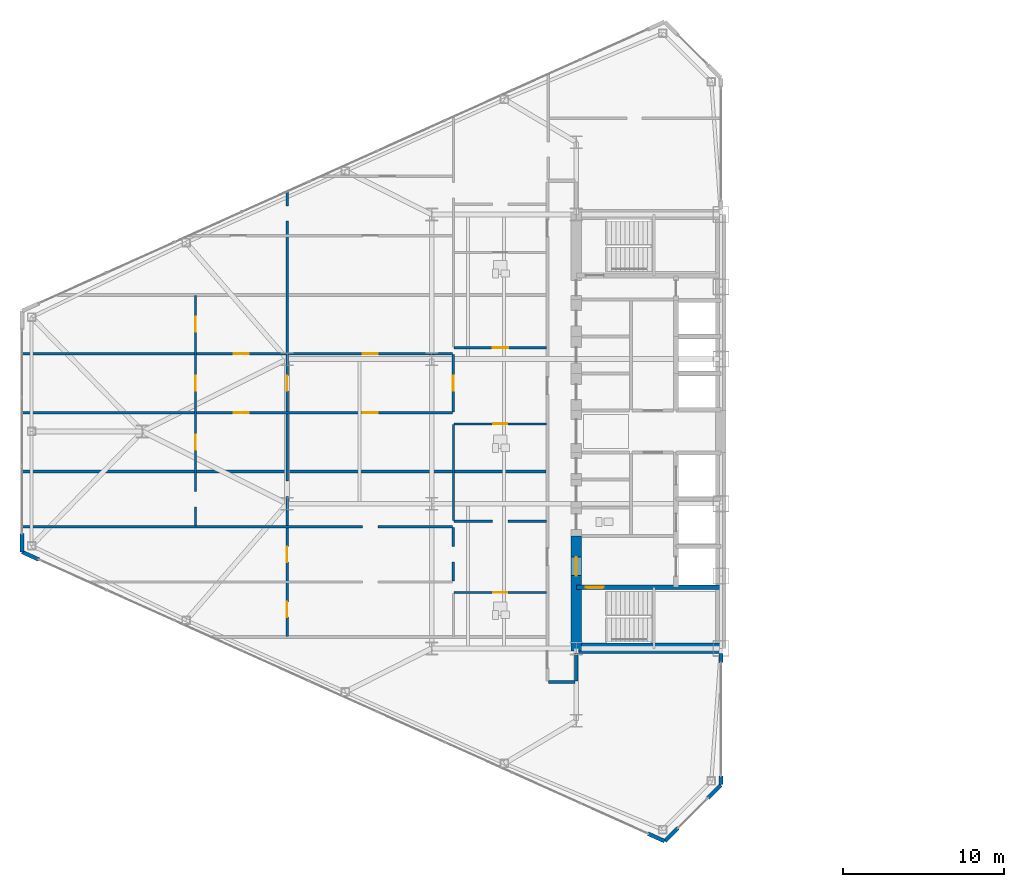
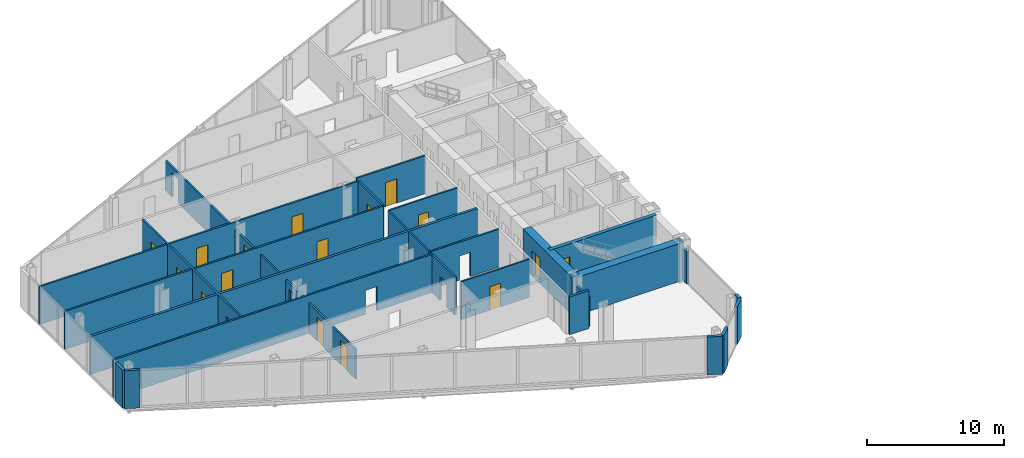
# One storey, part 19 of 27: 25 walls, 16 doors, 22 openings.
"""IFC4 building model written with IfcOpenShell, lengths in metres."""

from ifc_helpers import new_model, si_unit, direction, frame, frame_2d, origin, place, context, subcontext, project, spatial, rectangle, extrude, source, transform, mapped, material, layer, layer_set, type_object, type_shapes, element, fill, save


model = new_model("IFC4")

# Units and contexts
model_context = context("Model", 3, precision=1e-05, world=origin(), true_north=direction((0.0, 1.0)))
body_context = subcontext(model_context, "Body", "Model", "MODEL_VIEW")
ifc_project = project(units=[si_unit("LENGTHUNIT", "METRE"), si_unit("AREAUNIT", "SQUARE_METRE"), si_unit("VOLUMEUNIT", "CUBIC_METRE"), si_unit("PLANEANGLEUNIT", "RADIAN"), si_unit("MASSUNIT", "GRAM", prefix="KILO")], contexts=[model_context])

# Site, building, storey
site_placement = place(None, origin())
site = spatial("IfcSite", under=ifc_project, at=site_placement, CompositionType="ELEMENT")
building_placement = place(site_placement, origin())
building = spatial("IfcBuilding", under=site, at=building_placement, Name="Seokmaru Belvedere", CompositionType="ELEMENT")
storey_placement = place(building_placement, frame((0.0, 0.0, 99.60009765625)))
storey = spatial("IfcBuildingStorey", under=building, at=storey_placement, Name="L26", CompositionType="ELEMENT", Elevation=99.60009765625)

# Wall, opening
ifc_material_1 = material(Name="Fire-Rated Gypsum Shaftwall")
ifc_layer_1 = layer(ifc_material_1, 0.14990234375)
ifc_layer_set_1 = layer_set([ifc_layer_1], Name="Fire-Rated Gypsum Shaftwall")
wall_type_1 = type_object("IfcWallType", Name="Apartment Fire-Acoustic Room Partition 150", PredefinedType="PARTITIONING", material=ifc_layer_set_1)
wall_1_placement = place(storey_placement, frame((-71.034912109375, -5.929931640625, 0.0), z_axis=(0.0, 0.0, 1.0), x_axis=(1.0, 0.0, 0.0)))
wall_1 = element("IfcWall", 1, at=wall_1_placement, inside=storey, type_object=wall_type_1, Name="L26 Interior Partition 009", PredefinedType="PARTITIONING", context=body_context, shape_type="SweptSolid", body=[
    extrude(rectangle(XDim=26.8349609375, YDim=0.14990234375, at=frame_2d((13.41748046875, 0.0))), origin(), (0.0, 0.0, 1.0), 3.3798828125),
])
opening_1_placement = place(wall_1_placement, frame((21.235107421875, 0.0, 0.0)))
element("IfcOpeningElement", 2, at=opening_1_placement, cuts=wall_1, Name="L26 Cased Opening 008", PredefinedType="OPENING", context=body_context, shape_type="SweptSolid", body=[
    extrude(rectangle(XDim=0.949951171875, YDim=2.14990234375, at=frame_2d((0.47509765625, 1.074951171875))), frame((0.0, 0.0849609375, 0.0), z_axis=(0.0, -1.0, 0.0), x_axis=(1.0, 0.0, 0.0)), (0.0, 0.0, 1.0), 0.169921875),
])

wall_2_placement = place(storey_placement, frame((-44.10009765625, -5.590087890625, 0.0), z_axis=(0.0, 0.0, 1.0), x_axis=(1.0, 0.0, 0.0)))
wall_2 = element("IfcWall", 3, at=wall_2_placement, inside=storey, type_object=wall_type_1, Name="L26 Interior Partition 010", PredefinedType="PARTITIONING", context=body_context, shape_type="SweptSolid", body=[
    extrude(rectangle(XDim=5.75, YDim=0.14990234375, at=frame_2d((2.875, 0.0))), origin(), (0.0, 0.0, 1.0), 3.3798828125),
])
opening_2_placement = place(wall_2_placement, frame((2.39990234375, 0.0, 0.0)))
element("IfcOpeningElement", 4, at=opening_2_placement, cuts=wall_2, Name="L26 Cased Opening 004", PredefinedType="OPENING", context=body_context, shape_type="SweptSolid", body=[
    extrude(rectangle(XDim=0.949951171875, YDim=2.14990234375, at=frame_2d((0.47509765625, 1.074951171875))), frame((0.0, 0.0849609375, 0.0), z_axis=(0.0, -1.0, 0.0), x_axis=(1.0, 0.0, 0.0)), (0.0, 0.0, 1.0), 0.169921875),
])

# Wall, openings, doors
wall_3_placement = place(storey_placement, frame((-71.034912109375, 1.169921875, 0.0), z_axis=(0.0, 0.0, 1.0), x_axis=(1.0, 0.0, 0.0)))
wall_3 = element("IfcWall", 5, at=wall_3_placement, inside=storey, type_object=wall_type_1, Name="L26 Interior Partition 015", PredefinedType="PARTITIONING", context=body_context, shape_type="SweptSolid", body=[
    extrude(rectangle(XDim=26.8349609375, YDim=0.14990234375, at=frame_2d((13.41748046875, 0.0))), origin(), (0.0, 0.0, 1.0), 3.3798828125),
])
opening_3_placement = place(wall_3_placement, frame((21.235107421875, 0.0, 0.0)))
opening_3 = element("IfcOpeningElement", 6, at=opening_3_placement, cuts=wall_3, Name="Opening D05", PredefinedType="OPENING", context=body_context, shape_type="SweptSolid", body=[
    extrude(rectangle(XDim=0.949951171875, YDim=2.14990234375, at=frame_2d((0.47509765625, 1.074951171875))), frame((0.0, 0.0849609375, 0.0), z_axis=(0.0, -1.0, 0.0), x_axis=(1.0, 0.0, 0.0)), (0.0, 0.0, 1.0), 0.169921875),
])
opening_4_placement = place(wall_3_placement, frame((13.2099609375, 0.0, 0.0)))
opening_4 = element("IfcOpeningElement", 7, at=opening_4_placement, cuts=wall_3, Name="Opening D05", PredefinedType="OPENING", context=body_context, shape_type="SweptSolid", body=[
    extrude(rectangle(XDim=0.949951171875, YDim=2.14990234375, at=frame_2d((0.47509765625, 1.074951171875))), frame((0.0, 0.0849609375, 0.0), z_axis=(0.0, -1.0, 0.0), x_axis=(1.0, 0.0, 0.0)), (0.0, 0.0, 1.0), 0.169921875),
])
ifc_material_2 = material(Name="Engineered White Oak Timber", Category="wood")
door_type_1 = type_object("IfcDoorType", Name="Apartment Interior Fire-Rated Oak Door 950x2150", OperationType="NOTDEFINED", PredefinedType="DOOR", material=ifc_material_2)
shared_shape_1 = source(origin(), body_context, "Body", "SweptSolid", [
    extrude(rectangle(XDim=0.949951171875, YDim=2.14990234375, at=frame_2d((0.47509765625, 1.074951171875))), frame((0.0, 0.02490234375, 0.0), z_axis=(0.0, -1.0, 0.0), x_axis=(1.0, 0.0, 0.0)), (0.0, 0.0, 1.0), 0.050048828125),
])
type_shapes(door_type_1, [shared_shape_1])
door_1_placement = place(opening_3_placement, origin())
door_1 = element("IfcDoor", 8, at=door_1_placement, inside=storey, type_object=door_type_1, Name="L26 Interior Door 017", OperationType="SINGLE_SWING_RIGHT", OverallHeight=2.14990234375, OverallWidth=0.949951171875, PredefinedType="DOOR", context=body_context, shape_type="MappedRepresentation", body=[
    mapped(shared_shape_1, transform((0.0, 0.0, 0.0), scale=1.0)),
])
fill(opening_3, door_1)
door_2_placement = place(opening_4_placement, origin())
door_2 = element("IfcDoor", 9, at=door_2_placement, inside=storey, type_object=door_type_1, Name="L26 Interior Door 019", OperationType="SINGLE_SWING_LEFT", OverallHeight=2.14990234375, OverallWidth=0.949951171875, PredefinedType="DOOR", context=body_context, shape_type="MappedRepresentation", body=[
    mapped(shared_shape_1, transform((0.0, 0.0, 0.0), scale=1.0)),
])
fill(opening_4, door_2)

wall_4_placement = place(storey_placement, frame((-71.034912109375, 4.830078125, 0.0), z_axis=(0.0, 0.0, 1.0), x_axis=(1.0, 0.0, 0.0)))
wall_4 = element("IfcWall", 10, at=wall_4_placement, inside=storey, type_object=wall_type_1, Name="L26 Interior Partition 017", PredefinedType="PARTITIONING", context=body_context, shape_type="SweptSolid", body=[
    extrude(rectangle(XDim=26.8349609375, YDim=0.14990234375, at=frame_2d((13.41748046875, 0.0))), origin(), (0.0, 0.0, 1.0), 3.3798828125),
])
opening_5_placement = place(wall_4_placement, frame((21.235107421875, 0.0, 0.0)))
opening_5 = element("IfcOpeningElement", 11, at=opening_5_placement, cuts=wall_4, Name="Opening D05", PredefinedType="OPENING", context=body_context, shape_type="SweptSolid", body=[
    extrude(rectangle(XDim=0.949951171875, YDim=2.14990234375, at=frame_2d((0.47509765625, 1.074951171875))), frame((0.0, 0.0849609375, 0.0), z_axis=(0.0, -1.0, 0.0), x_axis=(1.0, 0.0, 0.0)), (0.0, 0.0, 1.0), 0.169921875),
])
opening_6_placement = place(wall_4_placement, frame((13.2099609375, 0.0, 0.0)))
opening_6 = element("IfcOpeningElement", 12, at=opening_6_placement, cuts=wall_4, Name="Opening D05", PredefinedType="OPENING", context=body_context, shape_type="SweptSolid", body=[
    extrude(rectangle(XDim=0.949951171875, YDim=2.14990234375, at=frame_2d((0.47509765625, 1.074951171875))), frame((0.0, 0.0849609375, 0.0), z_axis=(0.0, -1.0, 0.0), x_axis=(1.0, 0.0, 0.0)), (0.0, 0.0, 1.0), 0.169921875),
])
door_3_placement = place(opening_5_placement, origin())
door_3 = element("IfcDoor", 13, at=door_3_placement, inside=storey, type_object=door_type_1, Name="L26 Interior Door 018", OperationType="SINGLE_SWING_LEFT", OverallHeight=2.14990234375, OverallWidth=0.949951171875, PredefinedType="DOOR", context=body_context, shape_type="MappedRepresentation", body=[
    mapped(shared_shape_1, transform((0.0, 0.0, 0.0), scale=1.0)),
])
fill(opening_5, door_3)
door_4_placement = place(opening_6_placement, origin())
door_4 = element("IfcDoor", 14, at=door_4_placement, inside=storey, type_object=door_type_1, Name="L26 Interior Door 022", OperationType="SINGLE_SWING_LEFT", OverallHeight=2.14990234375, OverallWidth=0.949951171875, PredefinedType="DOOR", context=body_context, shape_type="MappedRepresentation", body=[
    mapped(shared_shape_1, transform((0.0, 0.0, 0.0), scale=1.0)),
])
fill(opening_6, door_4)

# Wall, opening, door
wall_5_placement = place(storey_placement, frame((-44.10009765625, 5.199951171875, 0.0), z_axis=(0.0, 0.0, 1.0), x_axis=(1.0, 0.0, 0.0)))
wall_5 = element("IfcWall", 15, at=wall_5_placement, inside=storey, type_object=wall_type_1, Name="L26 Interior Partition 018", PredefinedType="PARTITIONING", context=body_context, shape_type="SweptSolid", body=[
    extrude(rectangle(XDim=5.75, YDim=0.14990234375, at=frame_2d((2.875, 0.0))), origin(), (0.0, 0.0, 1.0), 3.3798828125),
])
opening_7_placement = place(wall_5_placement, frame((2.39990234375, 0.0, 0.0)))
opening_7 = element("IfcOpeningElement", 16, at=opening_7_placement, cuts=wall_5, Name="Opening D05", PredefinedType="OPENING", context=body_context, shape_type="SweptSolid", body=[
    extrude(rectangle(XDim=0.949951171875, YDim=2.14990234375, at=frame_2d((0.47509765625, 1.074951171875))), frame((0.0, 0.0849609375, 0.0), z_axis=(0.0, -1.0, 0.0), x_axis=(1.0, 0.0, 0.0)), (0.0, 0.0, 1.0), 0.169921875),
])
door_5_placement = place(opening_7_placement, origin())
door_5 = element("IfcDoor", 17, at=door_5_placement, inside=storey, type_object=door_type_1, Name="L26 Interior Door 014", OperationType="SINGLE_SWING_LEFT", OverallHeight=2.14990234375, OverallWidth=0.949951171875, PredefinedType="DOOR", context=body_context, shape_type="MappedRepresentation", body=[
    mapped(shared_shape_1, transform((0.0, 0.0, 0.0), scale=1.0)),
])
fill(opening_7, door_5)

# Wall, openings, doors
wall_6_placement = place(storey_placement, frame((-60.199951171875, -5.883056640625, 0.0), z_axis=(0.0, 0.0, 1.0), x_axis=(0.0, 1.0, 0.0)))
wall_6 = element("IfcWall", 18, at=wall_6_placement, inside=storey, type_object=wall_type_1, Name="L26 Interior Partition 032", PredefinedType="PARTITIONING", context=body_context, shape_type="SweptSolid", body=[
    extrude(rectangle(XDim=14.3330078125, YDim=0.14990234375, at=frame_2d((7.16650390625, 0.0))), origin(), (0.0, 0.0, 1.0), 3.3798828125),
])
opening_8_placement = place(wall_6_placement, frame((1.19140625, 0.0, 0.0)))
element("IfcOpeningElement", 19, at=opening_8_placement, cuts=wall_6, Name="L26 Cased Opening 011", PredefinedType="OPENING", context=body_context, shape_type="SweptSolid", body=[
    extrude(rectangle(XDim=0.949951171875, YDim=2.14990234375, at=frame_2d((0.47509765625, 1.074951171875))), frame((0.0, 0.0849609375, 0.0), z_axis=(0.0, -1.0, 0.0), x_axis=(1.0, 0.0, 0.0)), (0.0, 0.0, 1.0), 0.169921875),
])
opening_9_placement = place(wall_6_placement, frame((4.741455078125, 0.0, 0.0)))
opening_9 = element("IfcOpeningElement", 20, at=opening_9_placement, cuts=wall_6, Name="Opening D05", PredefinedType="OPENING", context=body_context, shape_type="SweptSolid", body=[
    extrude(rectangle(XDim=0.949951171875, YDim=2.14990234375, at=frame_2d((0.47509765625, 1.074951171875))), frame((0.0, 0.0849609375, 0.0), z_axis=(0.0, -1.0, 0.0), x_axis=(1.0, 0.0, 0.0)), (0.0, 0.0, 1.0), 0.169921875),
])
opening_10_placement = place(wall_6_placement, frame((8.407958984375, 0.0, 0.0)))
opening_10 = element("IfcOpeningElement", 21, at=opening_10_placement, cuts=wall_6, Name="Opening D05", PredefinedType="OPENING", context=body_context, shape_type="SweptSolid", body=[
    extrude(rectangle(XDim=0.949951171875, YDim=2.14990234375, at=frame_2d((0.47509765625, 1.074951171875))), frame((0.0, 0.0849609375, 0.0), z_axis=(0.0, -1.0, 0.0), x_axis=(1.0, 0.0, 0.0)), (0.0, 0.0, 1.0), 0.169921875),
])
opening_11_placement = place(wall_6_placement, frame((12.07470703125, 0.0, 0.0)))
opening_11 = element("IfcOpeningElement", 22, at=opening_11_placement, cuts=wall_6, Name="Opening D05", PredefinedType="OPENING", context=body_context, shape_type="SweptSolid", body=[
    extrude(rectangle(XDim=0.949951171875, YDim=2.14990234375, at=frame_2d((0.47509765625, 1.074951171875))), frame((0.0, 0.0849609375, 0.0), z_axis=(0.0, -1.0, 0.0), x_axis=(1.0, 0.0, 0.0)), (0.0, 0.0, 1.0), 0.169921875),
])
door_6_placement = place(opening_9_placement, origin())
door_6 = element("IfcDoor", 23, at=door_6_placement, inside=storey, type_object=door_type_1, Name="L26 Interior Door 020", OperationType="SINGLE_SWING_RIGHT", OverallHeight=2.14990234375, OverallWidth=0.949951171875, PredefinedType="DOOR", context=body_context, shape_type="MappedRepresentation", body=[
    mapped(shared_shape_1, transform((0.0, 0.0, 0.0), scale=1.0)),
])
fill(opening_9, door_6)
door_7_placement = place(opening_10_placement, origin())
door_7 = element("IfcDoor", 24, at=door_7_placement, inside=storey, type_object=door_type_1, Name="L26 Interior Door 021", OperationType="SINGLE_SWING_RIGHT", OverallHeight=2.14990234375, OverallWidth=0.949951171875, PredefinedType="DOOR", context=body_context, shape_type="MappedRepresentation", body=[
    mapped(shared_shape_1, transform((0.0, 0.0, 0.0), scale=1.0)),
])
fill(opening_10, door_7)
door_8_placement = place(opening_11_placement, origin())
door_8 = element("IfcDoor", 25, at=door_8_placement, inside=storey, type_object=door_type_1, Name="L26 Interior Door 023", OperationType="SINGLE_SWING_RIGHT", OverallHeight=2.14990234375, OverallWidth=0.949951171875, PredefinedType="DOOR", context=body_context, shape_type="MappedRepresentation", body=[
    mapped(shared_shape_1, transform((0.0, 0.0, 0.0), scale=1.0)),
])
fill(opening_11, door_8)

wall_7_placement = place(storey_placement, frame((-54.5, -12.75, 0.0), z_axis=(0.0, 0.0, 1.0), x_axis=(0.0, 1.0, 0.0)))
wall_7 = element("IfcWall", 26, at=wall_7_placement, inside=storey, type_object=wall_type_1, Name="L26 Interior Partition 033", PredefinedType="PARTITIONING", context=body_context, shape_type="SweptSolid", body=[
    extrude(rectangle(XDim=27.7099609375, YDim=0.14990234375, at=frame_2d((13.85498046875, 0.0))), origin(), (0.0, 0.0, 1.0), 2.679931640625),
])
opening_12_placement = place(wall_7_placement, frame((4.625, 0.0, 0.0)))
opening_12 = element("IfcOpeningElement", 27, at=opening_12_placement, cuts=wall_7, Name="Opening D05", PredefinedType="OPENING", context=body_context, shape_type="SweptSolid", body=[
    extrude(rectangle(XDim=0.949951171875, YDim=2.14990234375, at=frame_2d((0.47509765625, 1.074951171875))), frame((0.0, 0.0849609375, 0.0), z_axis=(0.0, -1.0, 0.0), x_axis=(1.0, 0.0, 0.0)), (0.0, 0.0, 1.0), 0.169921875),
])
opening_13_placement = place(wall_7_placement, frame((1.191650390625, 0.0, 0.0)))
opening_13 = element("IfcOpeningElement", 28, at=opening_13_placement, cuts=wall_7, Name="Opening D05", PredefinedType="OPENING", context=body_context, shape_type="SweptSolid", body=[
    extrude(rectangle(XDim=0.949951171875, YDim=2.14990234375, at=frame_2d((0.47509765625, 1.074951171875))), frame((0.0, 0.0849609375, 0.0), z_axis=(0.0, -1.0, 0.0), x_axis=(1.0, 0.0, 0.0)), (0.0, 0.0, 1.0), 0.169921875),
])
opening_14_placement = place(wall_7_placement, frame((8.71728515625, 0.0, 0.0)))
element("IfcOpeningElement", 29, at=opening_14_placement, cuts=wall_7, Name="L26 Cased Opening 010", PredefinedType="OPENING", context=body_context, shape_type="SweptSolid", body=[
    extrude(rectangle(XDim=0.949951171875, YDim=2.14990234375, at=frame_2d((0.47509765625, 1.074951171875))), frame((0.0, 0.0849609375, 0.0), z_axis=(0.0, -1.0, 0.0), x_axis=(1.0, 0.0, 0.0)), (0.0, 0.0, 1.0), 0.169921875),
])
opening_15_placement = place(wall_7_placement, frame((15.27490234375, 0.0, 0.0)))
opening_15 = element("IfcOpeningElement", 30, at=opening_15_placement, cuts=wall_7, Name="Opening D05", PredefinedType="OPENING", context=body_context, shape_type="SweptSolid", body=[
    extrude(rectangle(XDim=0.949951171875, YDim=2.14990234375, at=frame_2d((0.47509765625, 1.074951171875))), frame((0.0, 0.0849609375, 0.0), z_axis=(0.0, -1.0, 0.0), x_axis=(1.0, 0.0, 0.0)), (0.0, 0.0, 1.0), 0.169921875),
])
opening_16_placement = place(wall_7_placement, frame((25.834716796875, 0.0, 0.0)))
element("IfcOpeningElement", 31, at=opening_16_placement, cuts=wall_7, Name="L26 Cased Opening 028", PredefinedType="OPENING", context=body_context, shape_type="SweptSolid", body=[
    extrude(rectangle(XDim=0.949951171875, YDim=2.14990234375, at=frame_2d((0.47509765625, 1.074951171875))), frame((0.0, 0.0849609375, 0.0), z_axis=(0.0, -1.0, 0.0), x_axis=(1.0, 0.0, 0.0)), (0.0, 0.0, 1.0), 0.169921875),
])
door_9_placement = place(opening_12_placement, origin())
door_9 = element("IfcDoor", 32, at=door_9_placement, inside=storey, type_object=door_type_1, Name="L26 Interior Door 006", OperationType="SINGLE_SWING_LEFT", OverallHeight=2.14990234375, OverallWidth=0.949951171875, PredefinedType="DOOR", context=body_context, shape_type="MappedRepresentation", body=[
    mapped(shared_shape_1, transform((0.0, 0.0, 0.0), scale=1.0)),
])
fill(opening_12, door_9)
door_10_placement = place(opening_13_placement, origin())
door_10 = element("IfcDoor", 33, at=door_10_placement, inside=storey, type_object=door_type_1, Name="L26 Interior Door 009", OperationType="SINGLE_SWING_LEFT", OverallHeight=2.14990234375, OverallWidth=0.949951171875, PredefinedType="DOOR", context=body_context, shape_type="MappedRepresentation", body=[
    mapped(shared_shape_1, transform((0.0, 0.0, 0.0), scale=1.0)),
])
fill(opening_13, door_10)
door_11_placement = place(opening_15_placement, origin())
door_11 = element("IfcDoor", 34, at=door_11_placement, inside=storey, type_object=door_type_1, Name="L26 Interior Door 016", OperationType="SINGLE_SWING_LEFT", OverallHeight=2.14990234375, OverallWidth=0.949951171875, PredefinedType="DOOR", context=body_context, shape_type="MappedRepresentation", body=[
    mapped(shared_shape_1, transform((0.0, 0.0, 0.0), scale=1.0)),
])
fill(opening_15, door_11)

# Wall, opening
wall_8_placement = place(storey_placement, frame((-44.14990234375, -9.31689453125, 0.0), z_axis=(0.0, 0.0, 1.0), x_axis=(0.0, 1.0, 0.0)))
wall_8 = element("IfcWall", 35, at=wall_8_placement, inside=storey, type_object=wall_type_1, Name="L26 Interior Partition 035", PredefinedType="PARTITIONING", context=body_context, shape_type="SweptSolid", body=[
    extrude(rectangle(XDim=3.333984375, YDim=0.14990234375, at=frame_2d((1.6669921875, 0.0))), origin(), (0.0, 0.0, 1.0), 3.3798828125),
])
opening_17_placement = place(wall_8_placement, frame((1.19189453125, 0.0, 0.0)))
element("IfcOpeningElement", 36, at=opening_17_placement, cuts=wall_8, Name="L26 Cased Opening 005", PredefinedType="OPENING", context=body_context, shape_type="SweptSolid", body=[
    extrude(rectangle(XDim=0.949951171875, YDim=2.14990234375, at=frame_2d((0.47509765625, 1.074951171875))), frame((0.0, 0.0849609375, 0.0), z_axis=(0.0, -1.0, 0.0), x_axis=(1.0, 0.0, 0.0)), (0.0, 0.0, 1.0), 0.169921875),
])

# Wall, opening, door
wall_9_placement = place(storey_placement, frame((-44.14990234375, 1.217041015625, 0.0), z_axis=(0.0, 0.0, 1.0), x_axis=(0.0, 1.0, 0.0)))
wall_9 = element("IfcWall", 37, at=wall_9_placement, inside=storey, type_object=wall_type_1, Name="L26 Interior Partition 037", PredefinedType="PARTITIONING", context=body_context, shape_type="SweptSolid", body=[
    extrude(rectangle(XDim=3.56591796875, YDim=0.14990234375, at=frame_2d((1.782958984375, 0.0))), origin(), (0.0, 0.0, 1.0), 3.3798828125),
])
opening_18_placement = place(wall_9_placement, frame((1.30810546875, 0.0, 0.0)))
opening_18 = element("IfcOpeningElement", 38, at=opening_18_placement, cuts=wall_9, Name="Opening D05", PredefinedType="OPENING", context=body_context, shape_type="SweptSolid", body=[
    extrude(rectangle(XDim=0.949951171875, YDim=2.14990234375, at=frame_2d((0.47509765625, 1.074951171875))), frame((0.0, 0.0849609375, 0.0), z_axis=(0.0, -1.0, 0.0), x_axis=(1.0, 0.0, 0.0)), (0.0, 0.0, 1.0), 0.169921875),
])
door_12_placement = place(opening_18_placement, origin())
door_12 = element("IfcDoor", 39, at=door_12_placement, inside=storey, type_object=door_type_1, Name="L26 Interior Door 015", OperationType="SINGLE_SWING_RIGHT", OverallHeight=2.14990234375, OverallWidth=0.949951171875, PredefinedType="DOOR", context=body_context, shape_type="MappedRepresentation", body=[
    mapped(shared_shape_1, transform((0.0, 0.0, 0.0), scale=1.0)),
])
fill(opening_18, door_12)

# Walls
ifc_layer_2 = layer(ifc_material_1, 0.199951171875)
ifc_layer_set_2 = layer_set([ifc_layer_2], Name="Fire-Rated Gypsum Shaftwall")
wall_type_2 = type_object("IfcWallType", Name="Inter-Tenancy Fire Compartment Partition 200", PredefinedType="PARTITIONING", material=ifc_layer_set_2)
wall_10_placement = place(storey_placement, frame((-38.215087890625, -15.60009765625, 0.0), z_axis=(0.0, 0.0, 1.0), x_axis=(1.0, 0.0, 0.0)))
element("IfcWall", 40, at=wall_10_placement, inside=storey, type_object=wall_type_2, Name="L26 Interior Partition 001", PredefinedType="PARTITIONING", context=body_context, shape_type="SweptSolid", body=[
    extrude(rectangle(XDim=1.630126953125, YDim=0.199951171875, at=frame_2d((0.81494140625, 0.0))), origin(), (0.0, 0.0, 1.0), 3.3798828125),
])
wall_11_placement = place(storey_placement, frame((-71.0048828125, -2.5, 0.0), z_axis=(0.0, 0.0, 1.0), x_axis=(1.0, 0.0, 0.0)))
element("IfcWall", 41, at=wall_11_placement, inside=storey, type_object=wall_type_2, Name="L26 Interior Partition 011", PredefinedType="PARTITIONING", context=body_context, shape_type="SweptSolid", body=[
    extrude(rectangle(XDim=32.625, YDim=0.199951171875, at=frame_2d((16.3125, 0.0))), origin(), (0.0, 0.0, 1.0), 3.3798828125),
])
wall_12_placement = place(storey_placement, frame((-36.5, -15.514892578125, 0.0), z_axis=(0.0, 0.0, 1.0), x_axis=(0.0, 1.0, 0.0)))
element("IfcWall", 42, at=wall_12_placement, inside=storey, type_object=wall_type_2, Name="L26 Interior Partition 041", PredefinedType="PARTITIONING", context=body_context, shape_type="SweptSolid", body=[
    extrude(rectangle(XDim=1.684814453125, YDim=0.199951171875, at=frame_2d((0.84228515625, 0.0))), origin(), (0.0, 0.0, 1.0), 2.679931640625),
])

# Wall, opening, door
ifc_material_3 = material(Name="Concrete C50 (50 MPa)", Category="concrete")
ifc_layer_3 = layer(ifc_material_3, 0.300048828125)
ifc_layer_set_3 = layer_set([ifc_layer_3], Name="Concrete C50 (50 MPa)")
wall_type_3 = type_object("IfcWallType", Name="Internal Core Stair and Hoistway Wall 300", PredefinedType="SHEAR", material=ifc_layer_set_3)
wall_13_placement = place(storey_placement, frame((-36.5, -9.699951171875, 0.0), z_axis=(0.0, 0.0, 1.0), x_axis=(1.0, 0.0, 0.0)))
wall_13 = element("IfcWall", 43, at=wall_13_placement, inside=storey, type_object=wall_type_3, Name="L26 West Stair ST-1 Enclosure Wall", PredefinedType="SHEAR", context=body_context, shape_type="SweptSolid", body=[
    extrude(rectangle(XDim=9.0, YDim=0.300048828125, at=frame_2d((4.5, 0.0))), origin(), (0.0, 0.0, 1.0), 3.3798828125),
])
opening_19_placement = place(wall_13_placement, frame((0.60009765625, 0.0, 0.0)))
opening_19 = element("IfcOpeningElement", 44, at=opening_19_placement, cuts=wall_13, Name="Opening D01", PredefinedType="OPENING", context=body_context, shape_type="SweptSolid", body=[
    extrude(rectangle(XDim=1.10009765625, YDim=2.199951171875, at=frame_2d((0.550048828125, 1.10009765625))), frame((0.0, 0.16015625, 0.0), z_axis=(0.0, -1.0, 0.0), x_axis=(1.0, 0.0, 0.0)), (0.0, 0.0, 1.0), 0.320068359375),
])
ifc_material_4 = material(Name="Fire-Rated Steel Leaf", Category="steel")
door_type_2 = type_object("IfcDoorType", Name="Special Escape Stair Smokeproof Fire Door 1100x2200", OperationType="NOTDEFINED", PredefinedType="DOOR", material=ifc_material_4)
shared_shape_2 = source(origin(), body_context, "Body", "SweptSolid", [
    extrude(rectangle(XDim=1.10009765625, YDim=2.199951171875, at=frame_2d((0.550048828125, 1.10009765625))), frame((0.0, 0.02490234375, 0.0), z_axis=(0.0, -1.0, 0.0), x_axis=(1.0, 0.0, 0.0)), (0.0, 0.0, 1.0), 0.050048828125),
])
type_shapes(door_type_2, [shared_shape_2])
door_13_placement = place(opening_19_placement, frame((1.10009765625, 0.0, 0.0), z_axis=(0.0, 0.0, 1.0), x_axis=(-1.0, 0.0, 0.0)))
door_13 = element("IfcDoor", 45, at=door_13_placement, inside=storey, type_object=door_type_2, Name="L26 West Special Escape Stair ST-1 Door", OperationType="SINGLE_SWING_LEFT", OverallHeight=2.199951171875, OverallWidth=1.10009765625, PredefinedType="DOOR", context=body_context, shape_type="MappedRepresentation", body=[
    mapped(shared_shape_2, transform((0.0, 0.0, 0.0), scale=1.0)),
])
fill(opening_19, door_13)

# Wall
ifc_material_5 = material(Name="Concrete C60 (60 MPa)", Category="concrete")
ifc_layer_4 = layer(ifc_material_5, 0.64990234375)
ifc_layer_set_4 = layer_set([ifc_layer_4], Name="Concrete C60 (60 MPa)")
wall_type_4 = type_object("IfcWallType", Name="Mid-Low Reinforced Concrete Core Wall 650", PredefinedType="SHEAR", material=ifc_layer_set_4)
wall_14_placement = place(storey_placement, frame((-36.5, -13.5, 0.0), z_axis=(0.0, 0.0, 1.0), x_axis=(1.0, 0.0, 0.0)))
element("IfcWall", 46, at=wall_14_placement, inside=storey, type_object=wall_type_4, Name="L26 West South Core Wall", PredefinedType="SHEAR", context=body_context, shape_type="SweptSolid", body=[
    extrude(rectangle(XDim=9.0, YDim=0.64990234375, at=frame_2d((4.5, 0.0))), origin(), (0.0, 0.0, 1.0), 3.3798828125),
])

# Wall, opening, door
wall_15_placement = place(storey_placement, frame((-36.5, -13.64990234375, 0.0), z_axis=(0.0, 0.0, 1.0), x_axis=(0.0, 1.0, 0.0)))
wall_15 = element("IfcWall", 47, at=wall_15_placement, inside=storey, type_object=wall_type_4, Name="L26 West West Core Wall FF", PredefinedType="SHEAR", context=body_context, shape_type="SweptSolid", body=[
    extrude(rectangle(XDim=7.14990234375, YDim=0.64990234375, at=frame_2d((3.574951171875, 0.0))), origin(), (0.0, 0.0, 1.0), 3.3798828125),
])
opening_20_placement = place(wall_15_placement, frame((4.675048828125, 0.0, 0.0)))
opening_20 = element("IfcOpeningElement", 48, at=opening_20_placement, cuts=wall_15, Name="Opening D02", PredefinedType="OPENING", context=body_context, shape_type="SweptSolid", body=[
    extrude(rectangle(XDim=1.14990234375, YDim=2.199951171875, at=frame_2d((0.574951171875, 1.10009765625))), frame((0.0, 0.3349609375, 0.0), z_axis=(0.0, -1.0, 0.0), x_axis=(1.0, 0.0, 0.0)), (0.0, 0.0, 1.0), 0.669921875),
])
door_type_3 = type_object("IfcDoorType", Name="Lobby and Vestibule Fire Door 1150x2200", OperationType="NOTDEFINED", PredefinedType="DOOR", material=ifc_material_4)
shared_shape_3 = source(origin(), body_context, "Body", "SweptSolid", [
    extrude(rectangle(XDim=1.14990234375, YDim=2.199951171875, at=frame_2d((0.574951171875, 1.10009765625))), frame((0.0, 0.02490234375, 0.0), z_axis=(0.0, -1.0, 0.0), x_axis=(1.0, 0.0, 0.0)), (0.0, 0.0, 1.0), 0.050048828125),
])
type_shapes(door_type_3, [shared_shape_3])
door_14_placement = place(opening_20_placement, frame((1.14990234375, 0.0, 0.0), z_axis=(0.0, 0.0, 1.0), x_axis=(-1.0, 0.0, 0.0)))
door_14 = element("IfcDoor", 49, at=door_14_placement, inside=storey, type_object=door_type_3, Name="L26 West Firefighting Lobby Door", OperationType="SINGLE_SWING_LEFT", OverallHeight=2.199951171875, OverallWidth=1.14990234375, PredefinedType="DOOR", context=body_context, shape_type="MappedRepresentation", body=[
    mapped(shared_shape_3, transform((0.0, 0.0, 0.0), scale=1.0)),
])
fill(opening_20, door_14)

ifc_layer_5 = layer(ifc_material_1, 0.1298828125)
ifc_layer_set_5 = layer_set([ifc_layer_5], Name="Fire-Rated Gypsum Shaftwall")
wall_type_5 = type_object("IfcWallType", Name="Moisture-Resistant Fire-Rated Bathroom Partition 130", PredefinedType="PARTITIONING", material=ifc_layer_set_5)
wall_16_placement = place(storey_placement, frame((-44.10009765625, -10.02001953125, 0.0), z_axis=(0.0, 0.0, 1.0), x_axis=(1.0, 0.0, 0.0)))
wall_16 = element("IfcWall", 50, at=wall_16_placement, inside=storey, type_object=wall_type_5, Name="L26 Interior Partition 005", PredefinedType="PARTITIONING", context=body_context, shape_type="SweptSolid", body=[
    extrude(rectangle(XDim=5.75, YDim=0.1298828125, at=frame_2d((2.875, 0.0))), origin(), (0.0, 0.0, 1.0), 3.3798828125),
])
opening_21_placement = place(wall_16_placement, frame((2.43505859375, 0.0, 0.0)))
opening_21 = element("IfcOpeningElement", 51, at=opening_21_placement, cuts=wall_16, Name="Opening D06", PredefinedType="OPENING", context=body_context, shape_type="SweptSolid", body=[
    extrude(rectangle(XDim=0.8798828125, YDim=2.10009765625, at=frame_2d((0.43994140625, 1.050048828125))), frame((0.0, 0.074951171875, 0.0), z_axis=(0.0, -1.0, 0.0), x_axis=(1.0, 0.0, 0.0)), (0.0, 0.0, 1.0), 0.14990234375),
])
door_type_4 = type_object("IfcDoorType", Name="Bathroom and Restroom Fire-Rated Door 880x2100", OperationType="NOTDEFINED", PredefinedType="DOOR", material=ifc_material_2)
shared_shape_4 = source(origin(), body_context, "Body", "SweptSolid", [
    extrude(rectangle(XDim=0.8798828125, YDim=2.10009765625, at=frame_2d((0.43994140625, 1.050048828125))), frame((0.0, 0.02490234375, 0.0), z_axis=(0.0, -1.0, 0.0), x_axis=(1.0, 0.0, 0.0)), (0.0, 0.0, 1.0), 0.050048828125),
])
type_shapes(door_type_4, [shared_shape_4])
door_15_placement = place(opening_21_placement, origin())
door_15 = element("IfcDoor", 52, at=door_15_placement, inside=storey, type_object=door_type_4, Name="L26 Interior Door 003", OperationType="SINGLE_SWING_LEFT", OverallHeight=2.10009765625, OverallWidth=0.8798828125, PredefinedType="DOOR", context=body_context, shape_type="MappedRepresentation", body=[
    mapped(shared_shape_4, transform((0.0, 0.0, 0.0), scale=1.0)),
])
fill(opening_21, door_15)

wall_17_placement = place(storey_placement, frame((-44.10009765625, 0.469970703125, 0.0), z_axis=(0.0, 0.0, 1.0), x_axis=(1.0, 0.0, 0.0)))
wall_17 = element("IfcWall", 53, at=wall_17_placement, inside=storey, type_object=wall_type_5, Name="L26 Interior Partition 014", PredefinedType="PARTITIONING", context=body_context, shape_type="SweptSolid", body=[
    extrude(rectangle(XDim=5.75, YDim=0.1298828125, at=frame_2d((2.875, 0.0))), origin(), (0.0, 0.0, 1.0), 3.3798828125),
])
opening_22_placement = place(wall_17_placement, frame((2.43505859375, 0.0, 0.0)))
opening_22 = element("IfcOpeningElement", 54, at=opening_22_placement, cuts=wall_17, Name="Opening D06", PredefinedType="OPENING", context=body_context, shape_type="SweptSolid", body=[
    extrude(rectangle(XDim=0.8798828125, YDim=2.10009765625, at=frame_2d((0.43994140625, 1.050048828125))), frame((0.0, 0.074951171875, 0.0), z_axis=(0.0, -1.0, 0.0), x_axis=(1.0, 0.0, 0.0)), (0.0, 0.0, 1.0), 0.14990234375),
])
door_16_placement = place(opening_22_placement, origin())
door_16 = element("IfcDoor", 55, at=door_16_placement, inside=storey, type_object=door_type_4, Name="L26 Interior Door 013", OperationType="SINGLE_SWING_LEFT", OverallHeight=2.10009765625, OverallWidth=0.8798828125, PredefinedType="DOOR", context=body_context, shape_type="MappedRepresentation", body=[
    mapped(shared_shape_4, transform((0.0, 0.0, 0.0), scale=1.0)),
])
fill(opening_22, door_16)

# Walls
wall_18_placement = place(storey_placement, frame((-44.14990234375, -5.5380859375, 0.0), z_axis=(0.0, 0.0, 1.0), x_axis=(0.0, 1.0, 0.0)))
element("IfcWall", 56, at=wall_18_placement, inside=storey, type_object=wall_type_5, Name="L26 Interior Partition 036", PredefinedType="PARTITIONING", context=body_context, shape_type="SweptSolid", body=[
    extrude(rectangle(XDim=5.9560546875, YDim=0.1298828125, at=frame_2d((2.97802734375, 0.0))), origin(), (0.0, 0.0, 1.0), 3.3798828125),
])
ifc_material_6 = material(Name="Anodised Bronze Aluminium", Category="aluminium")
ifc_layer_6 = layer(ifc_material_6, 0.239990234375)
ifc_layer_set_6 = layer_set([ifc_layer_6], Name="Anodised Bronze Aluminium")
wall_type_6 = type_object("IfcWallType", Name="Tower Corner Spandrel Closure Wall 240", PredefinedType="SOLIDWALL", material=ifc_layer_set_6)
wall_19_placement = place(storey_placement, frame((-27.5, -21.97998046875, 0.0), z_axis=(0.0, 0.0, 1.0), x_axis=(0.0, 1.0, 0.0)))
element("IfcWall", 57, at=wall_19_placement, inside=storey, type_object=wall_type_6, Name="L26 W Spine Closure Pier 1A", PredefinedType="SOLIDWALL", context=body_context, shape_type="SweptSolid", body=[
    extrude(rectangle(XDim=0.550048828125, YDim=0.239990234375, at=frame_2d((0.27490234375, 0.0))), origin(), (0.0, 0.0, 1.0), 3.3798828125),
])
wall_20_placement = place(storey_placement, frame((-27.5, -14.3798828125, 0.0), z_axis=(0.0, 0.0, 1.0), x_axis=(0.0, 1.0, 0.0)))
element("IfcWall", 58, at=wall_20_placement, inside=storey, type_object=wall_type_6, Name="L26 W Spine Closure Pier 1B", PredefinedType="SOLIDWALL", context=body_context, shape_type="SweptSolid", body=[
    extrude(rectangle(XDim=0.5498046875, YDim=0.239990234375, at=frame_2d((0.27490234375, 0.0))), origin(), (0.0, 0.0, 1.0), 2.8798828125),
])
for number, where, z_axis, x_axis, name in (
    (59, (-71.0, -6.35009765625, 0.0), (0.0, 0.0, 1.0), (0.0, -1.0, 0.0), "L26 W Corner Closure Pier 4B"),
    (60, (-70.990966796875, -7.504150390625, 0.0), (0.0, 0.0, 1.0), (0.911929519623, -0.410346866979, 0.0), "L26 W Corner Closure Pier 5A"),
    (61, (-32.048583984375, -25.028076171875, 0.0), (0.0, 0.0, 1.0), (0.911929519623, -0.410346866979, 0.0), "L26 W Corner Closure Pier 5B"),
):
    element("IfcWall", number, at=place(storey_placement, frame(where, z_axis=z_axis, x_axis=x_axis)), inside=storey, type_object=wall_type_6, Name=name, PredefinedType="SOLIDWALL", context=body_context, shape_type="SweptSolid", body=[
        extrude(rectangle(XDim=1.139892578125, YDim=0.239990234375, at=frame_2d((0.56982421875, 0.0))), origin(), (0.0, 0.0, 1.0), 3.3798828125),
    ])
for number, where, z_axis, x_axis, name in (
    (62, (-30.992919921875, -25.492919921875, 0.0), (0.0, 0.0, 1.0), (0.707106781187, 0.707106781187, 0.0), "L26 W Corner Closure Pier 6A"),
    (63, (-28.313232421875, -22.813232421875, 0.0), (0.0, 0.0, 1.0), (0.707106781187, 0.707106781187, 0.0), "L26 W Corner Closure Pier 6B"),
):
    element("IfcWall", number, at=place(storey_placement, frame(where, z_axis=z_axis, x_axis=x_axis)), inside=storey, type_object=wall_type_6, Name=name, PredefinedType="SOLIDWALL", context=body_context, shape_type="SweptSolid", body=[
        extrude(rectangle(XDim=1.14013671875, YDim=0.239990234375, at=frame_2d((0.570068359375, 0.0))), origin(), (0.0, 0.0, 1.0), 3.3798828125),
    ])

save(model, "model.ifc")
